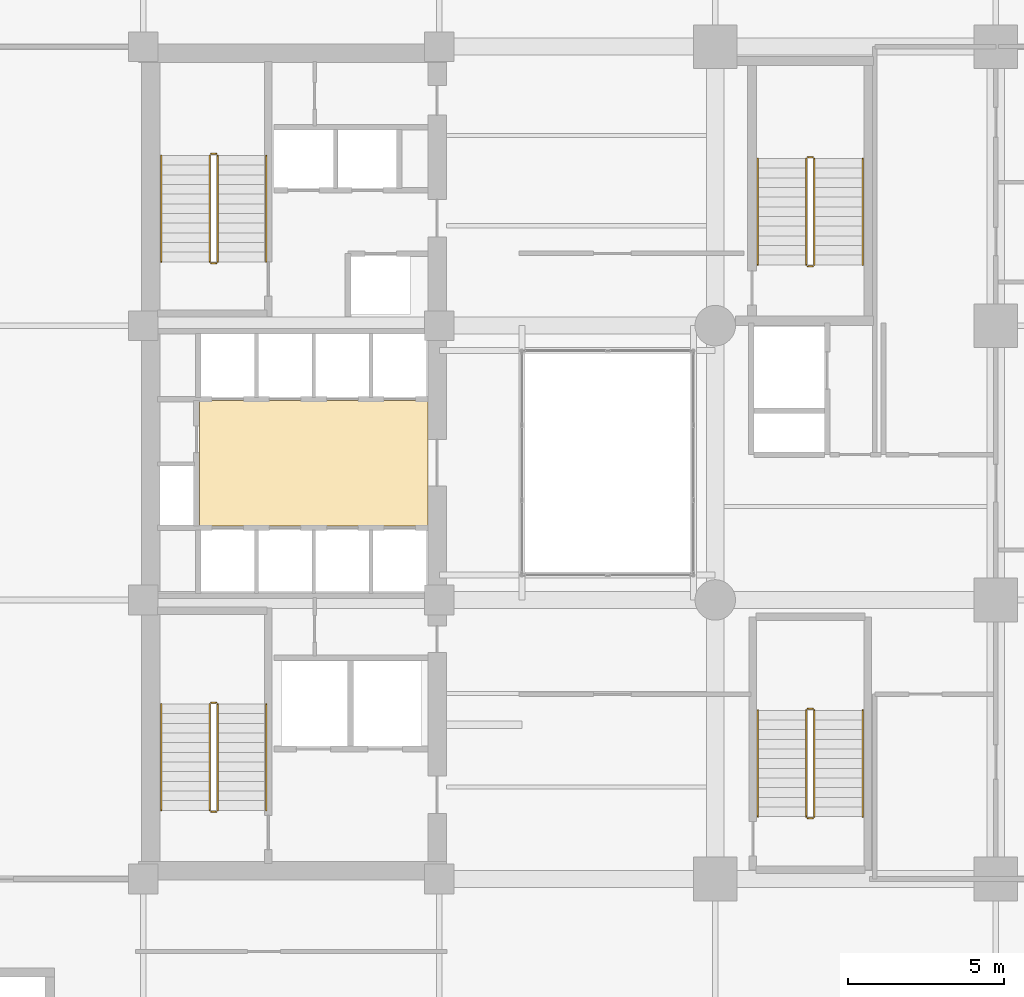
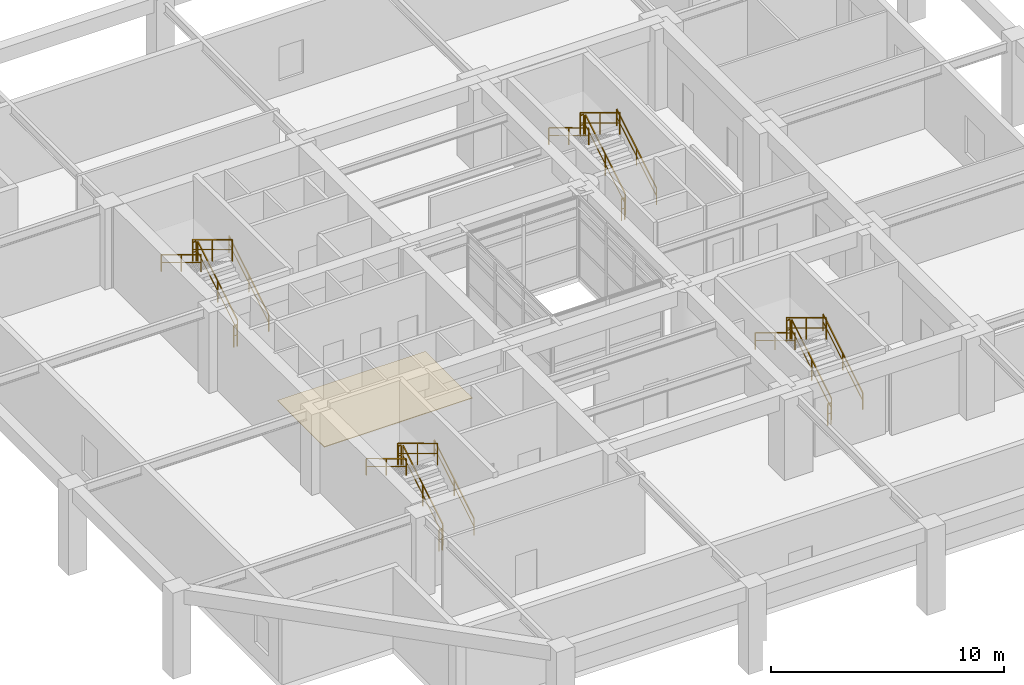
# One storey, part 10 of 10: 24 railings, 1 covering.
"""IFC4 building model written with IfcOpenShell, lengths in metres."""

from ifc_helpers import new_model, si_unit, direction, frame, origin, origin_2d, place, context, subcontext, project, spatial, polyline, rectangle, outline, extrude, material, layer, layer_set, type_object, element, save


model = new_model("IFC4")

# Units and contexts
model_context = context("Model", 3, precision=1e-05, world=origin(), true_north=direction((0.0, 1.0)))
body_context = subcontext(model_context, "Body", "Model", "MODEL_VIEW")
ifc_project = project(units=[si_unit("LENGTHUNIT", "METRE"), si_unit("AREAUNIT", "SQUARE_METRE"), si_unit("VOLUMEUNIT", "CUBIC_METRE"), si_unit("PLANEANGLEUNIT", "RADIAN"), si_unit("MASSUNIT", "GRAM", prefix="KILO")], contexts=[model_context])

# Site, building, storey
site_placement = place(None, origin())
site = spatial("IfcSite", under=ifc_project, at=site_placement, CompositionType="ELEMENT")
building_placement = place(site_placement, origin())
building = spatial("IfcBuilding", under=site, at=building_placement, Name="Kundavana Baori Tower", CompositionType="ELEMENT")
storey_placement = place(building_placement, frame((0.0, 0.0, 12.5)))
storey = spatial("IfcBuildingStorey", under=building, at=storey_placement, Name="L02", CompositionType="ELEMENT", Elevation=12.5)

# Covering
ifc_material_1 = material(Name="Honed Kota Stone and Terrazzo Flooring", Category="masonry")
ifc_layer = layer(ifc_material_1, 0.030029296875, Name="COV-INT-FLR")
ifc_layer_set = layer_set([ifc_layer], Name="Honed Kota Stone and Terrazzo Flooring")
covering_type = type_object("IfcCoveringType", Name="COV-INT-FLR", PredefinedType="FLOORING", material=ifc_layer_set)
covering_placement = place(storey_placement, origin())
element("IfcCovering", 1, at=covering_placement, inside=storey, type_object=covering_type, Name="L02 Core Lift Lobby Kota Stone Flooring", PredefinedType="FLOORING", context=body_context, shape_type="SweptSolid", body=[
    extrude(outline(polyline([(17.25, 26.580078125), (24.580078125, 26.580078125), (24.580078125, 30.60009765625), (17.25, 30.60009765625), (17.25, 26.580078125)])), origin(), (0.0, 0.0, 1.0), 0.030029296875),
])

# Railings
ifc_material_2 = material(Name="Architectural Patinated Bronze Metalwork")
railing_type_1 = type_object("IfcRailingType", Name="RL-GRD-1150", PredefinedType="GUARDRAIL", material=ifc_material_2)
railing_1_placement = place(storey_placement, frame((17.840087890625, 17.449951171875, 0.1875)))
element("IfcRailing", 2, at=railing_1_placement, inside=storey, type_object=railing_type_1, Name="L02 ST1 stair guard 1", PredefinedType="GUARDRAIL", context=body_context, shape_type="SweptSolid", body=[
    extrude(rectangle(XDim=0.048095703125, YDim=0.048095703125, at=origin_2d()), frame((0.0, 0.0, 1.1259765625), z_axis=(0.0, 0.855671421885, 0.517519485401), x_axis=(-1.0, 0.0, 0.0)), (0.0, 0.0, 1.0), 3.9853515625),
    extrude(rectangle(XDim=0.03125, YDim=0.03125, at=origin_2d()), frame((0.0, 0.0, 0.597900390625), z_axis=(0.0, 0.855671421885, 0.517519485401), x_axis=(-1.0, 0.0, 0.0)), (0.0, 0.0, 1.0), 3.9853515625),
    extrude(rectangle(XDim=0.0419921875, YDim=0.0419921875, at=origin_2d()), origin(), (0.0, 0.0, 1.0), 1.101806640625),
    extrude(rectangle(XDim=0.0419921875, YDim=0.0419921875, at=origin_2d()), frame((0.0, 1.705078125, 1.03125)), (0.0, 0.0, 1.0), 1.101806640625),
    extrude(rectangle(XDim=0.0419921875, YDim=0.0419921875, at=origin_2d()), frame((0.0, 3.41015625, 2.0625)), (0.0, 0.0, 1.0), 1.101806640625),
])
railing_2_placement = place(storey_placement, frame((17.7900390625, 20.909912109375, 2.25)))
element("IfcRailing", 3, at=railing_2_placement, inside=storey, type_object=railing_type_1, Name="L02 ST1 stair guard 2", PredefinedType="GUARDRAIL", context=body_context, shape_type="SweptSolid", body=[
    extrude(rectangle(XDim=0.048095703125, YDim=0.048095703125, at=origin_2d()), frame((0.0, 0.0, 1.1259765625), z_axis=(-1.0, 0.0, 0.0), x_axis=(0.0, -1.0, 0.0)), (0.0, 0.0, 1.0), 0.16015625),
    extrude(rectangle(XDim=0.03125, YDim=0.03125, at=origin_2d()), frame((0.0, 0.0, 0.597900390625), z_axis=(-1.0, 0.0, 0.0), x_axis=(0.0, -1.0, 0.0)), (0.0, 0.0, 1.0), 0.16015625),
    extrude(rectangle(XDim=0.0419921875, YDim=0.0419921875, at=origin_2d()), origin(), (0.0, 0.0, 1.0), 1.101806640625),
    extrude(rectangle(XDim=0.0419921875, YDim=0.0419921875, at=origin_2d()), frame((-0.16015625, 0.0, 0.0)), (0.0, 0.0, 1.0), 1.101806640625),
])
railing_3_placement = place(storey_placement, frame((17.580078125, 20.860107421875, 2.4375)))
element("IfcRailing", 4, at=railing_3_placement, inside=storey, type_object=railing_type_1, Name="L02 ST1 stair guard 3", PredefinedType="GUARDRAIL", context=body_context, shape_type="SweptSolid", body=[
    extrude(rectangle(XDim=0.048095703125, YDim=0.048095703125, at=origin_2d()), frame((0.0, 0.0, 1.1259765625), z_axis=(0.0, -0.855671421885, 0.517519485401), x_axis=(1.0, 0.0, 0.0)), (0.0, 0.0, 1.0), 3.9853515625),
    extrude(rectangle(XDim=0.03125, YDim=0.03125, at=origin_2d()), frame((0.0, 0.0, 0.597900390625), z_axis=(0.0, -0.855671421885, 0.517519485401), x_axis=(1.0, 0.0, 0.0)), (0.0, 0.0, 1.0), 3.9853515625),
    extrude(rectangle(XDim=0.0419921875, YDim=0.0419921875, at=origin_2d()), origin(), (0.0, 0.0, 1.0), 1.101806640625),
    extrude(rectangle(XDim=0.0419921875, YDim=0.0419921875, at=origin_2d()), frame((0.0, -1.705078125, 1.03125)), (0.0, 0.0, 1.0), 1.101806640625),
    extrude(rectangle(XDim=0.0419921875, YDim=0.0419921875, at=origin_2d()), frame((0.0, -3.41015625, 2.0625)), (0.0, 0.0, 1.0), 1.101806640625),
])
railing_4_placement = place(storey_placement, frame((17.7900390625, 17.39990234375, 0.0)))
element("IfcRailing", 5, at=railing_4_placement, inside=storey, type_object=railing_type_1, Name="L02 ST1 stair guard 4", PredefinedType="GUARDRAIL", context=body_context, shape_type="SweptSolid", body=[
    extrude(rectangle(XDim=0.048095703125, YDim=0.048095703125, at=origin_2d()), frame((0.0, 0.0, 1.1259765625), z_axis=(-1.0, 0.0, 0.0), x_axis=(0.0, -1.0, 0.0)), (0.0, 0.0, 1.0), 0.16015625),
    extrude(rectangle(XDim=0.03125, YDim=0.03125, at=origin_2d()), frame((0.0, 0.0, 0.597900390625), z_axis=(-1.0, 0.0, 0.0), x_axis=(0.0, -1.0, 0.0)), (0.0, 0.0, 1.0), 0.16015625),
    extrude(rectangle(XDim=0.0419921875, YDim=0.0419921875, at=origin_2d()), origin(), (0.0, 0.0, 1.0), 1.101806640625),
    extrude(rectangle(XDim=0.0419921875, YDim=0.0419921875, at=origin_2d()), frame((-0.16015625, 0.0, 0.0)), (0.0, 0.0, 1.0), 1.101806640625),
])
railing_5_placement = place(storey_placement, frame((17.840087890625, 35.050048828125, 0.1875)))
element("IfcRailing", 6, at=railing_5_placement, inside=storey, type_object=railing_type_1, Name="L02 ST2 stair guard 1", PredefinedType="GUARDRAIL", context=body_context, shape_type="SweptSolid", body=[
    extrude(rectangle(XDim=0.048095703125, YDim=0.048095703125, at=origin_2d()), frame((0.0, 0.0, 1.1259765625), z_axis=(0.0, 0.855655013707, 0.517546613861), x_axis=(-1.0, 0.0, 0.0)), (0.0, 0.0, 1.0), 3.985107421875),
    extrude(rectangle(XDim=0.03125, YDim=0.03125, at=origin_2d()), frame((0.0, 0.0, 0.597900390625), z_axis=(0.0, 0.855655013707, 0.517546613861), x_axis=(-1.0, 0.0, 0.0)), (0.0, 0.0, 1.0), 3.985107421875),
    extrude(rectangle(XDim=0.0419921875, YDim=0.0419921875, at=origin_2d()), origin(), (0.0, 0.0, 1.0), 1.101806640625),
    extrude(rectangle(XDim=0.0419921875, YDim=0.0419921875, at=origin_2d()), frame((0.0, 1.705078125, 1.03125)), (0.0, 0.0, 1.0), 1.101806640625),
    extrude(rectangle(XDim=0.0419921875, YDim=0.0419921875, at=origin_2d()), frame((0.0, 3.409912109375, 2.0625)), (0.0, 0.0, 1.0), 1.101806640625),
])
railing_6_placement = place(storey_placement, frame((17.7900390625, 38.510009765625, 2.25)))
element("IfcRailing", 7, at=railing_6_placement, inside=storey, type_object=railing_type_1, Name="L02 ST2 stair guard 2", PredefinedType="GUARDRAIL", context=body_context, shape_type="SweptSolid", body=[
    extrude(rectangle(XDim=0.048095703125, YDim=0.048095703125, at=origin_2d()), frame((0.0, 0.0, 1.1259765625), z_axis=(-1.0, 0.0, 0.0), x_axis=(0.0, -1.0, 0.0)), (0.0, 0.0, 1.0), 0.16015625),
    extrude(rectangle(XDim=0.03125, YDim=0.03125, at=origin_2d()), frame((0.0, 0.0, 0.597900390625), z_axis=(-1.0, 0.0, 0.0), x_axis=(0.0, -1.0, 0.0)), (0.0, 0.0, 1.0), 0.16015625),
    extrude(rectangle(XDim=0.0419921875, YDim=0.0419921875, at=origin_2d()), origin(), (0.0, 0.0, 1.0), 1.101806640625),
    extrude(rectangle(XDim=0.0419921875, YDim=0.0419921875, at=origin_2d()), frame((-0.16015625, 0.0, 0.0)), (0.0, 0.0, 1.0), 1.101806640625),
])
railing_7_placement = place(storey_placement, frame((17.580078125, 38.4599609375, 2.4375)))
element("IfcRailing", 8, at=railing_7_placement, inside=storey, type_object=railing_type_1, Name="L02 ST2 stair guard 3", PredefinedType="GUARDRAIL", context=body_context, shape_type="SweptSolid", body=[
    extrude(rectangle(XDim=0.048095703125, YDim=0.048095703125, at=origin_2d()), frame((0.0, 0.0, 1.1259765625), z_axis=(0.0, -0.855655013707, 0.517546613861), x_axis=(1.0, 0.0, 0.0)), (0.0, 0.0, 1.0), 3.985107421875),
    extrude(rectangle(XDim=0.03125, YDim=0.03125, at=origin_2d()), frame((0.0, 0.0, 0.597900390625), z_axis=(0.0, -0.855655013707, 0.517546613861), x_axis=(1.0, 0.0, 0.0)), (0.0, 0.0, 1.0), 3.985107421875),
    extrude(rectangle(XDim=0.0419921875, YDim=0.0419921875, at=origin_2d()), origin(), (0.0, 0.0, 1.0), 1.101806640625),
    extrude(rectangle(XDim=0.0419921875, YDim=0.0419921875, at=origin_2d()), frame((0.0, -1.705078125, 1.03125)), (0.0, 0.0, 1.0), 1.101806640625),
    extrude(rectangle(XDim=0.0419921875, YDim=0.0419921875, at=origin_2d()), frame((0.0, -3.409912109375, 2.0625)), (0.0, 0.0, 1.0), 1.101806640625),
])
railing_8_placement = place(storey_placement, frame((17.7900390625, 35.0, 0.0)))
element("IfcRailing", 9, at=railing_8_placement, inside=storey, type_object=railing_type_1, Name="L02 ST2 stair guard 4", PredefinedType="GUARDRAIL", context=body_context, shape_type="SweptSolid", body=[
    extrude(rectangle(XDim=0.048095703125, YDim=0.048095703125, at=origin_2d()), frame((0.0, 0.0, 1.1259765625), z_axis=(-1.0, 0.0, 0.0), x_axis=(0.0, -1.0, 0.0)), (0.0, 0.0, 1.0), 0.16015625),
    extrude(rectangle(XDim=0.03125, YDim=0.03125, at=origin_2d()), frame((0.0, 0.0, 0.597900390625), z_axis=(-1.0, 0.0, 0.0), x_axis=(0.0, -1.0, 0.0)), (0.0, 0.0, 1.0), 0.16015625),
    extrude(rectangle(XDim=0.0419921875, YDim=0.0419921875, at=origin_2d()), origin(), (0.0, 0.0, 1.0), 1.101806640625),
    extrude(rectangle(XDim=0.0419921875, YDim=0.0419921875, at=origin_2d()), frame((-0.16015625, 0.0, 0.0)), (0.0, 0.0, 1.0), 1.101806640625),
])
railing_9_placement = place(storey_placement, frame((36.97998046875, 34.949951171875, 0.1875)))
element("IfcRailing", 10, at=railing_9_placement, inside=storey, type_object=railing_type_1, Name="L02 ST3 stair guard 1", PredefinedType="GUARDRAIL", context=body_context, shape_type="SweptSolid", body=[
    extrude(rectangle(XDim=0.048095703125, YDim=0.048095703125, at=origin_2d()), frame((0.0, 0.0, 1.1259765625), z_axis=(0.0, 0.855671421885, 0.517519485401), x_axis=(-1.0, 0.0, 0.0)), (0.0, 0.0, 1.0), 3.9853515625),
    extrude(rectangle(XDim=0.03125, YDim=0.03125, at=origin_2d()), frame((0.0, 0.0, 0.597900390625), z_axis=(0.0, 0.855671421885, 0.517519485401), x_axis=(-1.0, 0.0, 0.0)), (0.0, 0.0, 1.0), 3.9853515625),
    extrude(rectangle(XDim=0.0419921875, YDim=0.0419921875, at=origin_2d()), origin(), (0.0, 0.0, 1.0), 1.101806640625),
    extrude(rectangle(XDim=0.0419921875, YDim=0.0419921875, at=origin_2d()), frame((0.0, 1.705078125, 1.03125)), (0.0, 0.0, 1.0), 1.101806640625),
    extrude(rectangle(XDim=0.0419921875, YDim=0.0419921875, at=origin_2d()), frame((0.0, 3.41015625, 2.0625)), (0.0, 0.0, 1.0), 1.101806640625),
])
railing_10_placement = place(storey_placement, frame((36.929931640625, 38.409912109375, 2.25)))
element("IfcRailing", 11, at=railing_10_placement, inside=storey, type_object=railing_type_1, Name="L02 ST3 stair guard 2", PredefinedType="GUARDRAIL", context=body_context, shape_type="SweptSolid", body=[
    extrude(rectangle(XDim=0.048095703125, YDim=0.048095703125, at=origin_2d()), frame((0.0, 0.0, 1.1259765625), z_axis=(-1.0, 0.0, 0.0), x_axis=(0.0, -1.0, 0.0)), (0.0, 0.0, 1.0), 0.159912109375),
    extrude(rectangle(XDim=0.03125, YDim=0.03125, at=origin_2d()), frame((0.0, 0.0, 0.597900390625), z_axis=(-1.0, 0.0, 0.0), x_axis=(0.0, -1.0, 0.0)), (0.0, 0.0, 1.0), 0.159912109375),
    extrude(rectangle(XDim=0.0419921875, YDim=0.0419921875, at=origin_2d()), origin(), (0.0, 0.0, 1.0), 1.101806640625),
    extrude(rectangle(XDim=0.0419921875, YDim=0.0419921875, at=origin_2d()), frame((-0.159912109375, 0.0, 0.0)), (0.0, 0.0, 1.0), 1.101806640625),
])
railing_11_placement = place(storey_placement, frame((36.719970703125, 38.360107421875, 2.4375)))
element("IfcRailing", 12, at=railing_11_placement, inside=storey, type_object=railing_type_1, Name="L02 ST3 stair guard 3", PredefinedType="GUARDRAIL", context=body_context, shape_type="SweptSolid", body=[
    extrude(rectangle(XDim=0.048095703125, YDim=0.048095703125, at=origin_2d()), frame((0.0, 0.0, 1.1259765625), z_axis=(0.0, -0.855671421885, 0.517519485401), x_axis=(1.0, 0.0, 0.0)), (0.0, 0.0, 1.0), 3.9853515625),
    extrude(rectangle(XDim=0.03125, YDim=0.03125, at=origin_2d()), frame((0.0, 0.0, 0.597900390625), z_axis=(0.0, -0.855671421885, 0.517519485401), x_axis=(1.0, 0.0, 0.0)), (0.0, 0.0, 1.0), 3.9853515625),
    extrude(rectangle(XDim=0.0419921875, YDim=0.0419921875, at=origin_2d()), origin(), (0.0, 0.0, 1.0), 1.101806640625),
    extrude(rectangle(XDim=0.0419921875, YDim=0.0419921875, at=origin_2d()), frame((0.0, -1.705078125, 1.03125)), (0.0, 0.0, 1.0), 1.101806640625),
    extrude(rectangle(XDim=0.0419921875, YDim=0.0419921875, at=origin_2d()), frame((0.0, -3.41015625, 2.0625)), (0.0, 0.0, 1.0), 1.101806640625),
])
railing_12_placement = place(storey_placement, frame((36.929931640625, 34.89990234375, 0.0)))
element("IfcRailing", 13, at=railing_12_placement, inside=storey, type_object=railing_type_1, Name="L02 ST3 stair guard 4", PredefinedType="GUARDRAIL", context=body_context, shape_type="SweptSolid", body=[
    extrude(rectangle(XDim=0.048095703125, YDim=0.048095703125, at=origin_2d()), frame((0.0, 0.0, 1.1259765625), z_axis=(-1.0, 0.0, 0.0), x_axis=(0.0, -1.0, 0.0)), (0.0, 0.0, 1.0), 0.159912109375),
    extrude(rectangle(XDim=0.03125, YDim=0.03125, at=origin_2d()), frame((0.0, 0.0, 0.597900390625), z_axis=(-1.0, 0.0, 0.0), x_axis=(0.0, -1.0, 0.0)), (0.0, 0.0, 1.0), 0.159912109375),
    extrude(rectangle(XDim=0.0419921875, YDim=0.0419921875, at=origin_2d()), origin(), (0.0, 0.0, 1.0), 1.101806640625),
    extrude(rectangle(XDim=0.0419921875, YDim=0.0419921875, at=origin_2d()), frame((-0.159912109375, 0.0, 0.0)), (0.0, 0.0, 1.0), 1.101806640625),
])
railing_13_placement = place(storey_placement, frame((36.97998046875, 17.25, 0.1875)))
element("IfcRailing", 14, at=railing_13_placement, inside=storey, type_object=railing_type_1, Name="L02 ST4 stair guard 1", PredefinedType="GUARDRAIL", context=body_context, shape_type="SweptSolid", body=[
    extrude(rectangle(XDim=0.048095703125, YDim=0.048095703125, at=origin_2d()), frame((0.0, 0.0, 1.1259765625), z_axis=(0.0, 0.855655013707, 0.517546613861), x_axis=(-1.0, 0.0, 0.0)), (0.0, 0.0, 1.0), 3.985107421875),
    extrude(rectangle(XDim=0.03125, YDim=0.03125, at=origin_2d()), frame((0.0, 0.0, 0.597900390625), z_axis=(0.0, 0.855655013707, 0.517546613861), x_axis=(-1.0, 0.0, 0.0)), (0.0, 0.0, 1.0), 3.985107421875),
    extrude(rectangle(XDim=0.0419921875, YDim=0.0419921875, at=origin_2d()), origin(), (0.0, 0.0, 1.0), 1.101806640625),
    extrude(rectangle(XDim=0.0419921875, YDim=0.0419921875, at=origin_2d()), frame((0.0, 1.705078125, 1.03125)), (0.0, 0.0, 1.0), 1.101806640625),
    extrude(rectangle(XDim=0.0419921875, YDim=0.0419921875, at=origin_2d()), frame((0.0, 3.409912109375, 2.0625)), (0.0, 0.0, 1.0), 1.101806640625),
])
railing_14_placement = place(storey_placement, frame((36.929931640625, 20.7099609375, 2.25)))
element("IfcRailing", 15, at=railing_14_placement, inside=storey, type_object=railing_type_1, Name="L02 ST4 stair guard 2", PredefinedType="GUARDRAIL", context=body_context, shape_type="SweptSolid", body=[
    extrude(rectangle(XDim=0.048095703125, YDim=0.048095703125, at=origin_2d()), frame((0.0, 0.0, 1.1259765625), z_axis=(-1.0, 0.0, 0.0), x_axis=(0.0, -1.0, 0.0)), (0.0, 0.0, 1.0), 0.159912109375),
    extrude(rectangle(XDim=0.03125, YDim=0.03125, at=origin_2d()), frame((0.0, 0.0, 0.597900390625), z_axis=(-1.0, 0.0, 0.0), x_axis=(0.0, -1.0, 0.0)), (0.0, 0.0, 1.0), 0.159912109375),
    extrude(rectangle(XDim=0.0419921875, YDim=0.0419921875, at=origin_2d()), origin(), (0.0, 0.0, 1.0), 1.101806640625),
    extrude(rectangle(XDim=0.0419921875, YDim=0.0419921875, at=origin_2d()), frame((-0.159912109375, 0.0, 0.0)), (0.0, 0.0, 1.0), 1.101806640625),
])
railing_15_placement = place(storey_placement, frame((36.719970703125, 20.659912109375, 2.4375)))
element("IfcRailing", 16, at=railing_15_placement, inside=storey, type_object=railing_type_1, Name="L02 ST4 stair guard 3", PredefinedType="GUARDRAIL", context=body_context, shape_type="SweptSolid", body=[
    extrude(rectangle(XDim=0.048095703125, YDim=0.048095703125, at=origin_2d()), frame((0.0, 0.0, 1.1259765625), z_axis=(0.0, -0.855655013707, 0.517546613861), x_axis=(1.0, 0.0, 0.0)), (0.0, 0.0, 1.0), 3.985107421875),
    extrude(rectangle(XDim=0.03125, YDim=0.03125, at=origin_2d()), frame((0.0, 0.0, 0.597900390625), z_axis=(0.0, -0.855655013707, 0.517546613861), x_axis=(1.0, 0.0, 0.0)), (0.0, 0.0, 1.0), 3.985107421875),
    extrude(rectangle(XDim=0.0419921875, YDim=0.0419921875, at=origin_2d()), origin(), (0.0, 0.0, 1.0), 1.101806640625),
    extrude(rectangle(XDim=0.0419921875, YDim=0.0419921875, at=origin_2d()), frame((0.0, -1.705078125, 1.03125)), (0.0, 0.0, 1.0), 1.101806640625),
    extrude(rectangle(XDim=0.0419921875, YDim=0.0419921875, at=origin_2d()), frame((0.0, -3.409912109375, 2.0625)), (0.0, 0.0, 1.0), 1.101806640625),
])
railing_16_placement = place(storey_placement, frame((36.929931640625, 17.199951171875, 0.0)))
element("IfcRailing", 17, at=railing_16_placement, inside=storey, type_object=railing_type_1, Name="L02 ST4 stair guard 4", PredefinedType="GUARDRAIL", context=body_context, shape_type="SweptSolid", body=[
    extrude(rectangle(XDim=0.048095703125, YDim=0.048095703125, at=origin_2d()), frame((0.0, 0.0, 1.1259765625), z_axis=(-1.0, 0.0, 0.0), x_axis=(0.0, -1.0, 0.0)), (0.0, 0.0, 1.0), 0.159912109375),
    extrude(rectangle(XDim=0.03125, YDim=0.03125, at=origin_2d()), frame((0.0, 0.0, 0.597900390625), z_axis=(-1.0, 0.0, 0.0), x_axis=(0.0, -1.0, 0.0)), (0.0, 0.0, 1.0), 0.159912109375),
    extrude(rectangle(XDim=0.0419921875, YDim=0.0419921875, at=origin_2d()), origin(), (0.0, 0.0, 1.0), 1.101806640625),
    extrude(rectangle(XDim=0.0419921875, YDim=0.0419921875, at=origin_2d()), frame((-0.159912109375, 0.0, 0.0)), (0.0, 0.0, 1.0), 1.101806640625),
])
ifc_material_3 = material(Name="Architectural Patinated Bronze Metalwork")
railing_type_2 = type_object("IfcRailingType", Name="RL-HND-920", PredefinedType="HANDRAIL", material=ifc_material_3)
railing_17_placement = place(storey_placement, frame((19.389892578125, 17.449951171875, 0.1875)))
element("IfcRailing", 18, at=railing_17_placement, inside=storey, type_object=railing_type_2, Name="L02 ST1 stair handrail 1", PredefinedType="HANDRAIL", context=body_context, shape_type="SweptSolid", body=[
    extrude(rectangle(XDim=0.048095703125, YDim=0.048095703125, at=origin_2d()), frame((0.0, 0.0, 0.8759765625), z_axis=(0.0, 0.855671421885, 0.517519485401), x_axis=(-1.0, 0.0, 0.0)), (0.0, 0.0, 1.0), 3.9853515625),
    extrude(rectangle(XDim=0.03125, YDim=0.03125, at=origin_2d()), frame((0.0, 0.0, 0.468017578125), z_axis=(0.0, 0.855671421885, 0.517519485401), x_axis=(-1.0, 0.0, 0.0)), (0.0, 0.0, 1.0), 3.9853515625),
    extrude(rectangle(XDim=0.0419921875, YDim=0.0419921875, at=origin_2d()), origin(), (0.0, 0.0, 1.0), 0.851806640625),
    extrude(rectangle(XDim=0.0419921875, YDim=0.0419921875, at=origin_2d()), frame((0.0, 1.705078125, 1.03125)), (0.0, 0.0, 1.0), 0.851806640625),
    extrude(rectangle(XDim=0.0419921875, YDim=0.0419921875, at=origin_2d()), frame((0.0, 3.41015625, 2.0625)), (0.0, 0.0, 1.0), 0.851806640625),
])
railing_18_placement = place(storey_placement, frame((16.030029296875, 20.860107421875, 2.4375)))
element("IfcRailing", 19, at=railing_18_placement, inside=storey, type_object=railing_type_2, Name="L02 ST1 stair handrail 2", PredefinedType="HANDRAIL", context=body_context, shape_type="SweptSolid", body=[
    extrude(rectangle(XDim=0.048095703125, YDim=0.048095703125, at=origin_2d()), frame((0.0, 0.0, 0.8759765625), z_axis=(0.0, -0.855671421885, 0.517519485401), x_axis=(1.0, 0.0, 0.0)), (0.0, 0.0, 1.0), 3.9853515625),
    extrude(rectangle(XDim=0.03125, YDim=0.03125, at=origin_2d()), frame((0.0, 0.0, 0.468017578125), z_axis=(0.0, -0.855671421885, 0.517519485401), x_axis=(1.0, 0.0, 0.0)), (0.0, 0.0, 1.0), 3.9853515625),
    extrude(rectangle(XDim=0.0419921875, YDim=0.0419921875, at=origin_2d()), origin(), (0.0, 0.0, 1.0), 0.851806640625),
    extrude(rectangle(XDim=0.0419921875, YDim=0.0419921875, at=origin_2d()), frame((0.0, -1.705078125, 1.03125)), (0.0, 0.0, 1.0), 0.851806640625),
    extrude(rectangle(XDim=0.0419921875, YDim=0.0419921875, at=origin_2d()), frame((0.0, -3.41015625, 2.0625)), (0.0, 0.0, 1.0), 0.851806640625),
])
railing_19_placement = place(storey_placement, frame((19.389892578125, 35.050048828125, 0.1875)))
element("IfcRailing", 20, at=railing_19_placement, inside=storey, type_object=railing_type_2, Name="L02 ST2 stair handrail 1", PredefinedType="HANDRAIL", context=body_context, shape_type="SweptSolid", body=[
    extrude(rectangle(XDim=0.048095703125, YDim=0.048095703125, at=origin_2d()), frame((0.0, 0.0, 0.8759765625), z_axis=(0.0, 0.855655013707, 0.517546613861), x_axis=(-1.0, 0.0, 0.0)), (0.0, 0.0, 1.0), 3.985107421875),
    extrude(rectangle(XDim=0.03125, YDim=0.03125, at=origin_2d()), frame((0.0, 0.0, 0.468017578125), z_axis=(0.0, 0.855655013707, 0.517546613861), x_axis=(-1.0, 0.0, 0.0)), (0.0, 0.0, 1.0), 3.985107421875),
    extrude(rectangle(XDim=0.0419921875, YDim=0.0419921875, at=origin_2d()), origin(), (0.0, 0.0, 1.0), 0.851806640625),
    extrude(rectangle(XDim=0.0419921875, YDim=0.0419921875, at=origin_2d()), frame((0.0, 1.705078125, 1.03125)), (0.0, 0.0, 1.0), 0.851806640625),
    extrude(rectangle(XDim=0.0419921875, YDim=0.0419921875, at=origin_2d()), frame((0.0, 3.409912109375, 2.0625)), (0.0, 0.0, 1.0), 0.851806640625),
])
railing_20_placement = place(storey_placement, frame((16.030029296875, 38.4599609375, 2.4375)))
element("IfcRailing", 21, at=railing_20_placement, inside=storey, type_object=railing_type_2, Name="L02 ST2 stair handrail 2", PredefinedType="HANDRAIL", context=body_context, shape_type="SweptSolid", body=[
    extrude(rectangle(XDim=0.048095703125, YDim=0.048095703125, at=origin_2d()), frame((0.0, 0.0, 0.8759765625), z_axis=(0.0, -0.855655013707, 0.517546613861), x_axis=(1.0, 0.0, 0.0)), (0.0, 0.0, 1.0), 3.985107421875),
    extrude(rectangle(XDim=0.03125, YDim=0.03125, at=origin_2d()), frame((0.0, 0.0, 0.468017578125), z_axis=(0.0, -0.855655013707, 0.517546613861), x_axis=(1.0, 0.0, 0.0)), (0.0, 0.0, 1.0), 3.985107421875),
    extrude(rectangle(XDim=0.0419921875, YDim=0.0419921875, at=origin_2d()), origin(), (0.0, 0.0, 1.0), 0.851806640625),
    extrude(rectangle(XDim=0.0419921875, YDim=0.0419921875, at=origin_2d()), frame((0.0, -1.705078125, 1.03125)), (0.0, 0.0, 1.0), 0.851806640625),
    extrude(rectangle(XDim=0.0419921875, YDim=0.0419921875, at=origin_2d()), frame((0.0, -3.409912109375, 2.0625)), (0.0, 0.0, 1.0), 0.851806640625),
])
railing_21_placement = place(storey_placement, frame((38.530029296875, 34.949951171875, 0.1875)))
element("IfcRailing", 22, at=railing_21_placement, inside=storey, type_object=railing_type_2, Name="L02 ST3 stair handrail 1", PredefinedType="HANDRAIL", context=body_context, shape_type="SweptSolid", body=[
    extrude(rectangle(XDim=0.048095703125, YDim=0.048095703125, at=origin_2d()), frame((0.0, 0.0, 0.8759765625), z_axis=(0.0, 0.855671421885, 0.517519485401), x_axis=(-1.0, 0.0, 0.0)), (0.0, 0.0, 1.0), 3.9853515625),
    extrude(rectangle(XDim=0.03125, YDim=0.03125, at=origin_2d()), frame((0.0, 0.0, 0.468017578125), z_axis=(0.0, 0.855671421885, 0.517519485401), x_axis=(-1.0, 0.0, 0.0)), (0.0, 0.0, 1.0), 3.9853515625),
    extrude(rectangle(XDim=0.0419921875, YDim=0.0419921875, at=origin_2d()), origin(), (0.0, 0.0, 1.0), 0.851806640625),
    extrude(rectangle(XDim=0.0419921875, YDim=0.0419921875, at=origin_2d()), frame((0.0, 1.705078125, 1.03125)), (0.0, 0.0, 1.0), 0.851806640625),
    extrude(rectangle(XDim=0.0419921875, YDim=0.0419921875, at=origin_2d()), frame((0.0, 3.41015625, 2.0625)), (0.0, 0.0, 1.0), 0.851806640625),
])
railing_22_placement = place(storey_placement, frame((35.169921875, 38.360107421875, 2.4375)))
element("IfcRailing", 23, at=railing_22_placement, inside=storey, type_object=railing_type_2, Name="L02 ST3 stair handrail 2", PredefinedType="HANDRAIL", context=body_context, shape_type="SweptSolid", body=[
    extrude(rectangle(XDim=0.048095703125, YDim=0.048095703125, at=origin_2d()), frame((0.0, 0.0, 0.8759765625), z_axis=(0.0, -0.855671421885, 0.517519485401), x_axis=(1.0, 0.0, 0.0)), (0.0, 0.0, 1.0), 3.9853515625),
    extrude(rectangle(XDim=0.03125, YDim=0.03125, at=origin_2d()), frame((0.0, 0.0, 0.468017578125), z_axis=(0.0, -0.855671421885, 0.517519485401), x_axis=(1.0, 0.0, 0.0)), (0.0, 0.0, 1.0), 3.9853515625),
    extrude(rectangle(XDim=0.0419921875, YDim=0.0419921875, at=origin_2d()), origin(), (0.0, 0.0, 1.0), 0.851806640625),
    extrude(rectangle(XDim=0.0419921875, YDim=0.0419921875, at=origin_2d()), frame((0.0, -1.705078125, 1.03125)), (0.0, 0.0, 1.0), 0.851806640625),
    extrude(rectangle(XDim=0.0419921875, YDim=0.0419921875, at=origin_2d()), frame((0.0, -3.41015625, 2.0625)), (0.0, 0.0, 1.0), 0.851806640625),
])
railing_23_placement = place(storey_placement, frame((38.530029296875, 17.25, 0.1875)))
element("IfcRailing", 24, at=railing_23_placement, inside=storey, type_object=railing_type_2, Name="L02 ST4 stair handrail 1", PredefinedType="HANDRAIL", context=body_context, shape_type="SweptSolid", body=[
    extrude(rectangle(XDim=0.048095703125, YDim=0.048095703125, at=origin_2d()), frame((0.0, 0.0, 0.8759765625), z_axis=(0.0, 0.855655013707, 0.517546613861), x_axis=(-1.0, 0.0, 0.0)), (0.0, 0.0, 1.0), 3.985107421875),
    extrude(rectangle(XDim=0.03125, YDim=0.03125, at=origin_2d()), frame((0.0, 0.0, 0.468017578125), z_axis=(0.0, 0.855655013707, 0.517546613861), x_axis=(-1.0, 0.0, 0.0)), (0.0, 0.0, 1.0), 3.985107421875),
    extrude(rectangle(XDim=0.0419921875, YDim=0.0419921875, at=origin_2d()), origin(), (0.0, 0.0, 1.0), 0.851806640625),
    extrude(rectangle(XDim=0.0419921875, YDim=0.0419921875, at=origin_2d()), frame((0.0, 1.705078125, 1.03125)), (0.0, 0.0, 1.0), 0.851806640625),
    extrude(rectangle(XDim=0.0419921875, YDim=0.0419921875, at=origin_2d()), frame((0.0, 3.409912109375, 2.0625)), (0.0, 0.0, 1.0), 0.851806640625),
])
railing_24_placement = place(storey_placement, frame((35.169921875, 20.659912109375, 2.4375)))
element("IfcRailing", 25, at=railing_24_placement, inside=storey, type_object=railing_type_2, Name="L02 ST4 stair handrail 2", PredefinedType="HANDRAIL", context=body_context, shape_type="SweptSolid", body=[
    extrude(rectangle(XDim=0.048095703125, YDim=0.048095703125, at=origin_2d()), frame((0.0, 0.0, 0.8759765625), z_axis=(0.0, -0.855655013707, 0.517546613861), x_axis=(1.0, 0.0, 0.0)), (0.0, 0.0, 1.0), 3.985107421875),
    extrude(rectangle(XDim=0.03125, YDim=0.03125, at=origin_2d()), frame((0.0, 0.0, 0.468017578125), z_axis=(0.0, -0.855655013707, 0.517546613861), x_axis=(1.0, 0.0, 0.0)), (0.0, 0.0, 1.0), 3.985107421875),
    extrude(rectangle(XDim=0.0419921875, YDim=0.0419921875, at=origin_2d()), origin(), (0.0, 0.0, 1.0), 0.851806640625),
    extrude(rectangle(XDim=0.0419921875, YDim=0.0419921875, at=origin_2d()), frame((0.0, -1.705078125, 1.03125)), (0.0, 0.0, 1.0), 0.851806640625),
    extrude(rectangle(XDim=0.0419921875, YDim=0.0419921875, at=origin_2d()), frame((0.0, -3.409912109375, 2.0625)), (0.0, 0.0, 1.0), 0.851806640625),
])

save(model, "model.ifc")
